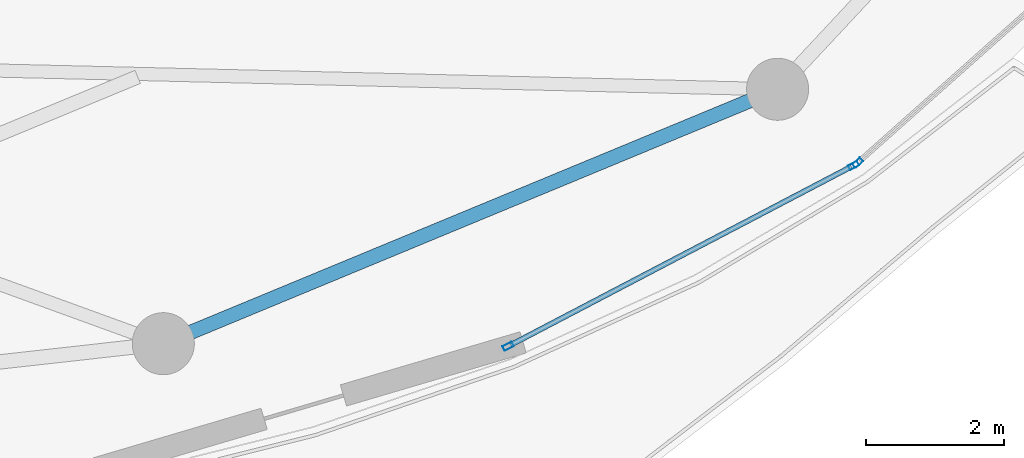
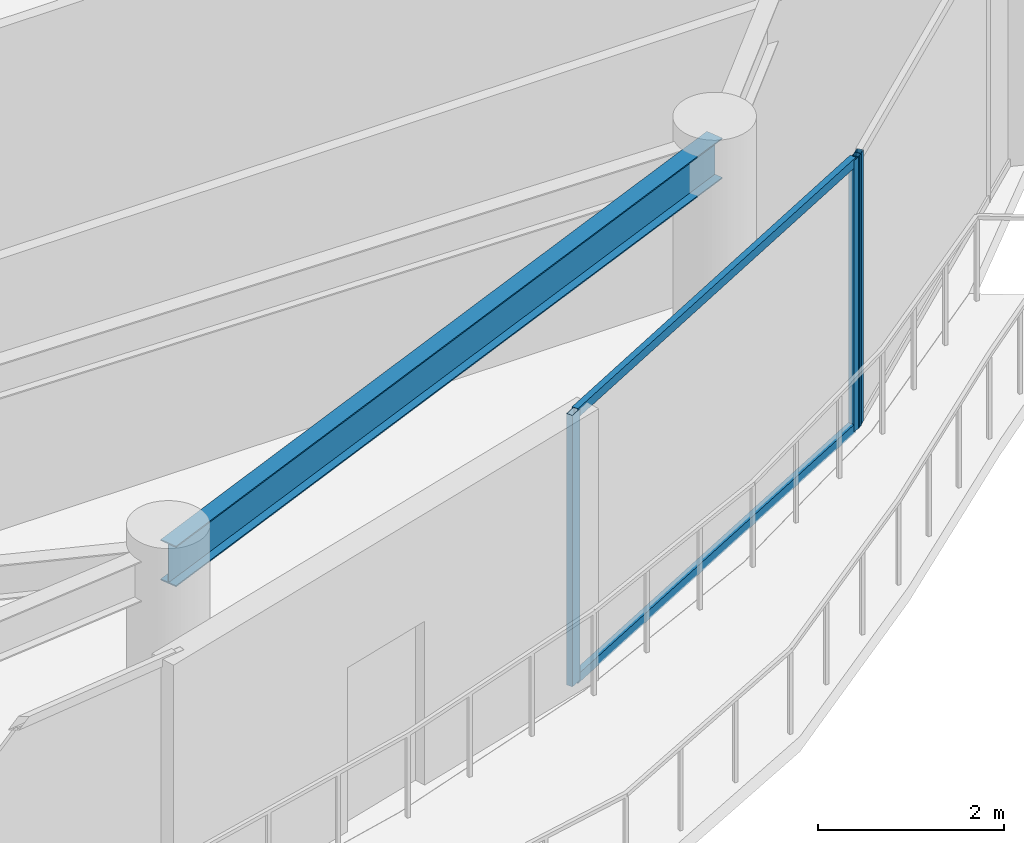
# One storey, part 13 of 29: 5 members, 1 beam, 2 elements without a shape of their own.
"""IFC4 building model written with IfcOpenShell, lengths in metres."""

from ifc_helpers import new_model, si_unit, direction, frame, origin, origin_2d, place, context, subcontext, project, spatial, hollow_rectangle, i_section, extrude, material, layer, layer_set, material_profile, profile_set, type_object, element, aggregate, save


model = new_model("IFC4")

# Units and contexts
model_context = context("Model", 3, precision=1e-05, world=origin(), true_north=direction((0.0, 1.0)))
body_context = subcontext(model_context, "Body", "Model", "MODEL_VIEW")
ifc_project = project(units=[si_unit("LENGTHUNIT", "METRE"), si_unit("AREAUNIT", "SQUARE_METRE"), si_unit("VOLUMEUNIT", "CUBIC_METRE"), si_unit("PLANEANGLEUNIT", "RADIAN"), si_unit("MASSUNIT", "GRAM", prefix="KILO")], contexts=[model_context])

# Site, building, storey
site_placement = place(None, origin())
site = spatial("IfcSite", under=ifc_project, at=site_placement, CompositionType="ELEMENT")
building_placement = place(site_placement, origin())
building = spatial("IfcBuilding", under=site, at=building_placement, Name="Kazevale Care Tower and Concert Hall", CompositionType="ELEMENT")
storey_placement = place(building_placement, frame((0.0, 0.0, 262.39990234375)))
storey = spatial("IfcBuildingStorey", under=building, at=storey_placement, Name="L69", CompositionType="ELEMENT", Elevation=262.39990234375)

# Curtain wall, member
ifc_material_1 = material(Name="Aluminium 6063-T6 and Low-E Glass", Category="aluminium")
ifc_layer = layer(ifc_material_1, 0.179931640625)
ifc_layer_set = layer_set([ifc_layer], Name="Aluminium 6063-T6 and Low-E Glass")
curtain_wall_type = type_object("IfcCurtainWallType", Name="Sheltered Concave Balcony Curtain Wall CW-5", PredefinedType="NOTDEFINED", material=ifc_layer_set)
curtain_wall_1_placement = place(storey_placement, origin())
curtain_wall_1 = element("IfcCurtainWall", 1, at=curtain_wall_1_placement, inside=storey, type_object=curtain_wall_type, Name="cw:L69:f02", PredefinedType="NOTDEFINED")
ifc_material_2 = material(Name="Aluminium 6063-T6", Category="aluminium")
ifc_material_profile_1 = material_profile(ifc_material_2, hollow_rectangle(XDim=0.074951171875, YDim=0.14990234375, WallThickness=0.00390625, at=origin_2d()), Name="ALU75x150x4")
ifc_profile_set_1 = profile_set([ifc_material_profile_1], Name="Aluminium 6063-T6")
member_type_1 = type_object("IfcMemberType", Name="CW-5 Mullion ALU75x150x4", PredefinedType="MULLION", material=ifc_profile_set_1)
member_1_placement = place(storey_placement, frame((65.573974609375, 22.046875, 0.0), z_axis=(0.0, 0.0, 1.0), x_axis=(0.664673629123, -0.747133834563, 0.0)))
member_1 = element("IfcMember", 2, at=member_1_placement, type_object=member_type_1, Name="CW-5 mullion 2", PredefinedType="MULLION", context=body_context, shape_type="SweptSolid", body=[
    extrude(hollow_rectangle(XDim=0.074951171875, YDim=0.14990234375, WallThickness=0.00390625, at=origin_2d()), origin(), (0.0, 0.0, 1.0), 3.56005859375),
])
aggregate(curtain_wall_1, [member_1])

# Curtain wall, members
curtain_wall_2_placement = place(storey_placement, origin())
curtain_wall_2 = element("IfcCurtainWall", 3, at=curtain_wall_2_placement, inside=storey, type_object=curtain_wall_type, Name="cw:L69:f03", PredefinedType="NOTDEFINED")
member_2_placement = place(storey_placement, frame((65.5126953125, 22.004638671875, 0.0), z_axis=(0.0, 0.0, 1.0), x_axis=(0.463680915912, -0.886002261972, 0.0)))
member_2 = element("IfcMember", 4, at=member_2_placement, type_object=member_type_1, Name="CW-5 mullion 1", PredefinedType="MULLION", context=body_context, shape_type="SweptSolid", body=[
    extrude(hollow_rectangle(XDim=0.074951171875, YDim=0.14990234375, WallThickness=0.00390625, at=origin_2d()), origin(), (0.0, 0.0, 1.0), 3.56005859375),
])
member_3_placement = place(storey_placement, frame((60.502197265625, 19.38232421875, 0.0), z_axis=(0.0, 0.0, 1.0), x_axis=(0.463680915912, -0.886002261972, 0.0)))
member_3 = element("IfcMember", 5, at=member_3_placement, type_object=member_type_1, Name="CW-5 mullion 2", PredefinedType="MULLION", context=body_context, shape_type="SweptSolid", body=[
    extrude(hollow_rectangle(XDim=0.074951171875, YDim=0.14990234375, WallThickness=0.00390625, at=origin_2d()), origin(), (0.0, 0.0, 1.0), 3.56005859375),
])
ifc_material_profile_2 = material_profile(ifc_material_2, hollow_rectangle(XDim=0.074951171875, YDim=0.1201171875, WallThickness=0.00390625, at=origin_2d()), Name="ALU75x120x4")
ifc_profile_set_2 = profile_set([ifc_material_profile_2], Name="Aluminium 6063-T6")
member_type_2 = type_object("IfcMemberType", Name="CW-5 Transom ALU75x120x4", PredefinedType="USERDEFINED", material=ifc_profile_set_2)
member_4_placement = place(storey_placement, frame((65.4794921875, 21.9873046875, 0.03759765625), z_axis=(-0.885987336027, -0.463709435314, 0.0), x_axis=(0.463709435314, -0.885987336027, 0.0)))
member_4 = element("IfcMember", 6, at=member_4_placement, type_object=member_type_2, Name="CW-5 transom 1.1", ObjectType="TRANSOM", PredefinedType="USERDEFINED", context=body_context, shape_type="SweptSolid", body=[
    extrude(hollow_rectangle(XDim=0.074951171875, YDim=0.1201171875, WallThickness=0.00390625, at=origin_2d()), origin(), (0.0, 0.0, 1.0), 5.580322265625),
])
member_5_placement = place(storey_placement, frame((65.4794921875, 21.9873046875, 3.522705078125), z_axis=(-0.885987336027, -0.463709435314, 0.0), x_axis=(0.463709435314, -0.885987336027, 0.0)))
member_5 = element("IfcMember", 7, at=member_5_placement, type_object=member_type_2, Name="CW-5 transom 1.2", ObjectType="TRANSOM", PredefinedType="USERDEFINED", context=body_context, shape_type="SweptSolid", body=[
    extrude(hollow_rectangle(XDim=0.074951171875, YDim=0.1201171875, WallThickness=0.00390625, at=origin_2d()), origin(), (0.0, 0.0, 1.0), 5.580322265625),
])
aggregate(curtain_wall_2, [member_2, member_3, member_4, member_5])

# Beam
ifc_material_3 = material(Name="Steel ASTM A572 Gr 50", Category="steel")
ifc_material_profile_3 = material_profile(ifc_material_3, i_section(OverallWidth=0.208984375, OverallDepth=0.532958984375, WebThickness=0.01025390625, FlangeThickness=0.015625, at=origin_2d()), Name="W530x92")
ifc_profile_set_3 = profile_set([ifc_material_profile_3], Name="Steel ASTM A572 Gr 50")
beam_type = type_object("IfcBeamType", Name="Upper Ring Beam W530x92", PredefinedType="BEAM", material=ifc_profile_set_3)
beam_placement = place(storey_placement, frame((55.5, 19.419921875, 3.293701171875), z_axis=(0.923894961945, 0.382646180293, 0.0), x_axis=(-0.382646180293, 0.923894961945, 0.0)))
element("IfcBeam", 8, at=beam_placement, inside=storey, type_object=beam_type, Name="beam:L69:ring:14", PredefinedType="BEAM", context=body_context, shape_type="SweptSolid", body=[
    extrude(i_section(OverallWidth=0.208984375, OverallDepth=0.532958984375, WebThickness=0.01025390625, FlangeThickness=0.015625, at=origin_2d()), origin(), (0.0, 0.0, 1.0), 9.643798828125),
])

save(model, "model.ifc")
